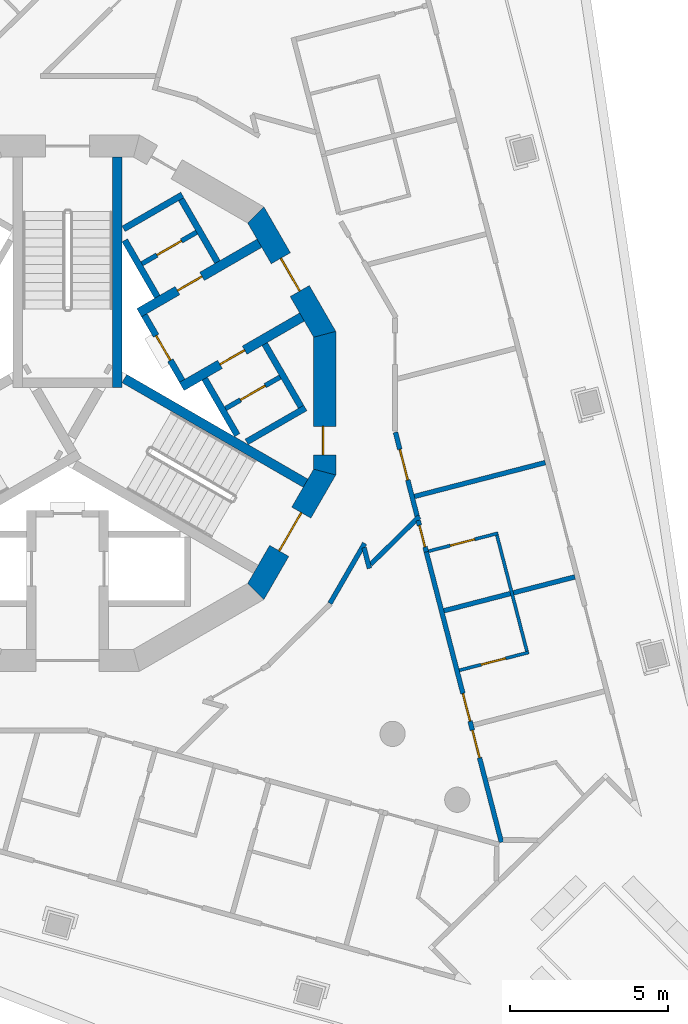
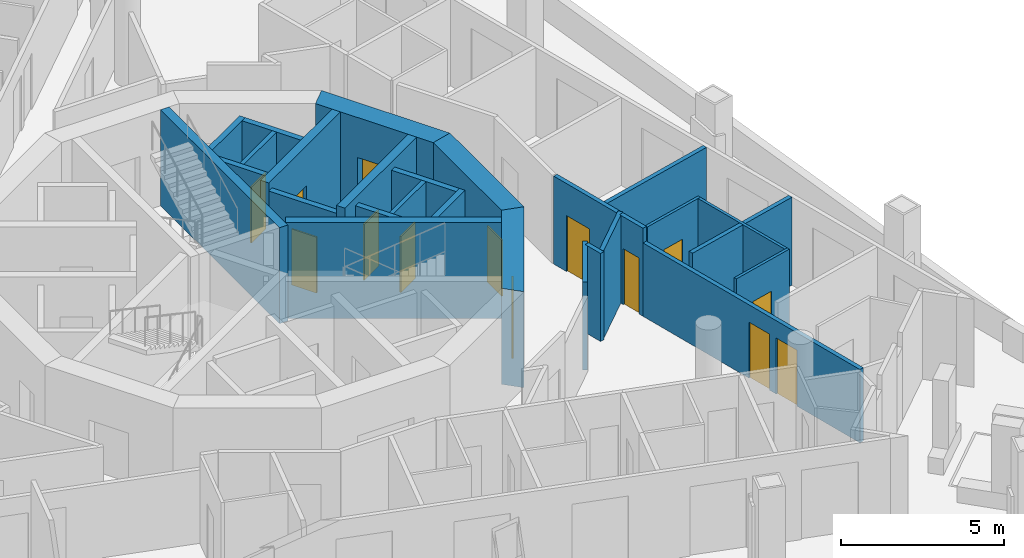
# One storey, part 6 of 14: 27 walls, 14 doors, 14 openings.
"""IFC4 building model written with IfcOpenShell, lengths in metres."""

from ifc_helpers import new_model, si_unit, direction, frame, frame_2d, origin, place, context, subcontext, project, spatial, polyline, rectangle, outline, extrude, material, layer, layer_set, type_object, element, fill, save


model = new_model("IFC4")

# Units and contexts
model_context = context("Model", 3, precision=1e-05, world=origin(), true_north=direction((0.0, 1.0)))
body_context = subcontext(model_context, "Body", "Model", "MODEL_VIEW")
ifc_project = project(units=[si_unit("LENGTHUNIT", "METRE"), si_unit("AREAUNIT", "SQUARE_METRE"), si_unit("VOLUMEUNIT", "CUBIC_METRE"), si_unit("PLANEANGLEUNIT", "RADIAN"), si_unit("MASSUNIT", "GRAM", prefix="KILO")], contexts=[model_context])

# Site, building, storey
site_placement = place(None, origin())
site = spatial("IfcSite", under=ifc_project, at=site_placement, CompositionType="ELEMENT")
building_placement = place(site_placement, origin())
building = spatial("IfcBuilding", under=site, at=building_placement, Name="Trine Commons Tower", CompositionType="ELEMENT")
storey_placement = place(building_placement, frame((0.0, 0.0, 234.89990234375)))
storey = spatial("IfcBuildingStorey", under=building, at=storey_placement, Name="L61", CompositionType="ELEMENT", Elevation=234.89990234375)

# Wall, opening, door
ifc_material_1 = material(Name="Plasterboard partition on steel studs", Category="steel")
ifc_layer_1 = layer(ifc_material_1, 0.14990234375)
ifc_layer_set_1 = layer_set([ifc_layer_1], Name="Plasterboard partition on steel studs")
wall_type_1 = type_object("IfcWallType", Name="Core room partition 150 mm, EI 60", PredefinedType="PARTITIONING", material=ifc_layer_set_1)
wall_1_placement = place(storey_placement, frame((82.35498046875, 66.919921875, 0.0), z_axis=(0.0, 0.0, 1.0), x_axis=(0.866010750942, 0.50002537861, 0.0)))
wall_1 = element("IfcWall", 1, at=wall_1_placement, inside=storey, type_object=wall_type_1, Name="Core room partition L61", PredefinedType="PARTITIONING", context=body_context, shape_type="SweptSolid", body=[
    extrude(rectangle(XDim=2.0, YDim=0.14990234375, at=frame_2d((1.0, 0.0))), origin(), (0.0, 0.0, 1.0), 3.300048828125),
])
opening_1_placement = place(wall_1_placement, frame((0.550537109375, 0.0, 0.0)))
opening_1 = element("IfcOpeningElement", 2, at=opening_1_placement, cuts=wall_1, Name="Opening K15.11", PredefinedType="OPENING", context=body_context, shape_type="SweptSolid", body=[
    extrude(rectangle(XDim=0.89990234375, YDim=2.10009765625, at=frame_2d((0.449951171875, 1.050048828125))), frame((0.0, 0.0849609375, 0.0), z_axis=(0.0, -1.0, 0.0), x_axis=(1.0, 0.0, 0.0)), (0.0, 0.0, 1.0), 0.169921875),
])
ifc_material_2 = material(Name="Steel door leaf, fire-rated", Category="steel")
door_type_1 = type_object("IfcDoorType", Name="Core room door, single leaf 900 x 2100, FD30S", OperationType="SINGLE_SWING_LEFT", PredefinedType="DOOR", material=ifc_material_2)
door_1_placement = place(opening_1_placement, origin())
door_1 = element("IfcDoor", 3, at=door_1_placement, inside=storey, type_object=door_type_1, Name="Door to Comms room L61", OperationType="SINGLE_SWING_RIGHT", OverallHeight=2.10009765625, OverallWidth=0.89990234375, PredefinedType="DOOR", context=body_context, shape_type="SweptSolid", body=[
    extrude(rectangle(XDim=0.89990234375, YDim=2.10009765625, at=frame_2d((0.449951171875, 1.050048828125))), frame((0.0, 0.02490234375, 0.0), z_axis=(0.0, -1.0, 0.0), x_axis=(1.0, 0.0, 0.0)), (0.0, 0.0, 1.0), 0.050048828125),
])
fill(opening_1, door_1)

wall_2_placement = place(storey_placement, frame((85.006103515625, 62.330078125, 0.0), z_axis=(0.0, 0.0, 1.0), x_axis=(0.866010750942, 0.50002537861, 0.0)))
wall_2 = element("IfcWall", 4, at=wall_2_placement, inside=storey, type_object=wall_type_1, Name="Core room partition L61", PredefinedType="PARTITIONING", context=body_context, shape_type="SweptSolid", body=[
    extrude(rectangle(XDim=2.0, YDim=0.14990234375, at=frame_2d((1.0, 0.0))), origin(), (0.0, 0.0, 1.0), 3.300048828125),
])
opening_2_placement = place(wall_2_placement, frame((0.549560546875, 0.0, 0.0)))
opening_2 = element("IfcOpeningElement", 5, at=opening_2_placement, cuts=wall_2, Name="Opening K15.13", PredefinedType="OPENING", context=body_context, shape_type="SweptSolid", body=[
    extrude(rectangle(XDim=0.89990234375, YDim=2.10009765625, at=frame_2d((0.449951171875, 1.050048828125))), frame((0.0, 0.0849609375, 0.0), z_axis=(0.0, -1.0, 0.0), x_axis=(1.0, 0.0, 0.0)), (0.0, 0.0, 1.0), 0.169921875),
])
door_2_placement = place(opening_2_placement, frame((0.89990234375, 0.0, 0.0), z_axis=(0.0, 0.0, 1.0), x_axis=(-1.0, 0.0, 0.0)))
door_2 = element("IfcDoor", 6, at=door_2_placement, inside=storey, type_object=door_type_1, Name="Door to Cleaner's store L61", OperationType="SINGLE_SWING_LEFT", OverallHeight=2.10009765625, OverallWidth=0.89990234375, PredefinedType="DOOR", context=body_context, shape_type="SweptSolid", body=[
    extrude(rectangle(XDim=0.89990234375, YDim=2.10009765625, at=frame_2d((0.449951171875, 1.050048828125))), frame((0.0, 0.02490234375, 0.0), z_axis=(0.0, -1.0, 0.0), x_axis=(1.0, 0.0, 0.0)), (0.0, 0.0, 1.0), 0.050048828125),
])
fill(opening_2, door_2)

ifc_material_3 = material(Name="Fire-rated gypsum shaft wall system")
ifc_layer_2 = layer(ifc_material_3, 0.199951171875)
ifc_layer_set_2 = layer_set([ifc_layer_2], Name="Fire-rated gypsum shaft wall system")
wall_type_2 = type_object("IfcWallType", Name="Lobby end wall 200 mm, EI 120", PredefinedType="PARTITIONING", material=ifc_layer_set_2)
wall_3_placement = place(storey_placement, frame((83.631103515625, 63.2109375, 0.0), z_axis=(0.0, 0.0, 1.0), x_axis=(-0.50012165622, 0.865955154139, 0.0)))
wall_3 = element("IfcWall", 7, at=wall_3_placement, inside=storey, type_object=wall_type_2, Name="Lobby end wall L61", PredefinedType="PARTITIONING", context=body_context, shape_type="SweptSolid", body=[
    extrude(rectangle(XDim=2.39990234375, YDim=0.199951171875, at=frame_2d((1.199951171875, 0.0))), origin(), (0.0, 0.0, 1.0), 3.300048828125),
])
opening_3_placement = place(wall_3_placement, frame((0.749755859375, 0.0, 0.0)))
opening_3 = element("IfcOpeningElement", 8, at=opening_3_placement, cuts=wall_3, Name="Opening K15.05", PredefinedType="OPENING", context=body_context, shape_type="SweptSolid", body=[
    extrude(rectangle(XDim=0.89990234375, YDim=2.10009765625, at=frame_2d((0.449951171875, 1.050048828125))), frame((0.0, 0.10986328125, 0.0), z_axis=(0.0, -1.0, 0.0), x_axis=(1.0, 0.0, 0.0)), (0.0, 0.0, 1.0), 0.219970703125),
])
door_type_2 = type_object("IfcDoorType", Name="Riser access door, single leaf 900 x 2100, FD60", OperationType="SINGLE_SWING_LEFT", PredefinedType="DOOR", material=ifc_material_2)
door_3_placement = place(opening_3_placement, frame((0.89990234375, 0.0, 0.0), z_axis=(0.0, 0.0, 1.0), x_axis=(-1.0, 0.0, 0.0)))
door_3 = element("IfcDoor", 9, at=door_3_placement, inside=storey, type_object=door_type_2, Name="Riser door, Electrical riser L61", OperationType="SINGLE_SWING_LEFT", OverallHeight=2.10009765625, OverallWidth=0.89990234375, PredefinedType="DOOR", context=body_context, shape_type="SweptSolid", body=[
    extrude(rectangle(XDim=0.89990234375, YDim=2.10009765625, at=frame_2d((0.449951171875, 1.050048828125))), frame((0.0, 0.02490234375, 0.0), z_axis=(0.0, -1.0, 0.0), x_axis=(1.0, 0.0, 0.0)), (0.0, 0.0, 1.0), 0.050048828125),
])
fill(opening_3, door_3)

ifc_material_4 = material(Name="Concrete C50/60", Category="concrete")
ifc_layer_3 = layer(ifc_material_4, 0.300048828125)
ifc_layer_set_3 = layer_set([ifc_layer_3], Name="Concrete C50/60")
wall_type_3 = type_object("IfcWallType", Name="RC shear wall 300 mm, C50/60", PredefinedType="SHEAR", material=ifc_layer_set_3)
wall_4_placement = place(storey_placement, frame((82.26904296875, 65.368896484375, 0.0), z_axis=(0.0, 0.0, 1.0), x_axis=(0.866035918664, 0.499981787252, 0.0)))
wall_4 = element("IfcWall", 10, at=wall_4_placement, inside=storey, type_object=wall_type_3, Name="Core cross wall SWC-05 L61", PredefinedType="SHEAR", context=body_context, shape_type="SweptSolid", body=[
    extrude(rectangle(XDim=4.400634765625, YDim=0.300048828125, at=frame_2d((2.2001953125, 0.0))), origin(), (0.0, 0.0, 1.0), 3.60009765625),
])
opening_4_placement = place(wall_4_placement, frame((1.400390625, 0.0, 0.0)))
opening_4 = element("IfcOpeningElement", 11, at=opening_4_placement, cuts=wall_4, Name="Opening K15.10", PredefinedType="OPENING", context=body_context, shape_type="SweptSolid", body=[
    extrude(rectangle(XDim=0.89990234375, YDim=2.10009765625, at=frame_2d((0.449951171875, 1.050048828125))), frame((0.0, 0.159912109375, 0.0), z_axis=(0.0, -1.0, 0.0), x_axis=(1.0, 0.0, 0.0)), (0.0, 0.0, 1.0), 0.320068359375),
])
door_4_placement = place(opening_4_placement, origin())
door_4 = element("IfcDoor", 12, at=door_4_placement, inside=storey, type_object=door_type_1, Name="Door to Pantry L61", OperationType="SINGLE_SWING_LEFT", OverallHeight=2.10009765625, OverallWidth=0.89990234375, PredefinedType="DOOR", context=body_context, shape_type="SweptSolid", body=[
    extrude(rectangle(XDim=0.89990234375, YDim=2.10009765625, at=frame_2d((0.449951171875, 1.050048828125))), frame((0.0, 0.02490234375, 0.0), z_axis=(0.0, -1.0, 0.0), x_axis=(1.0, 0.0, 0.0)), (0.0, 0.0, 1.0), 0.050048828125),
])
fill(opening_4, door_4)

wall_5_placement = place(storey_placement, frame((83.618896484375, 63.031005859375, 0.0), z_axis=(0.0, 0.0, 1.0), x_axis=(0.866059941101, 0.499940174841, 0.0)))
wall_5 = element("IfcWall", 13, at=wall_5_placement, inside=storey, type_object=wall_type_3, Name="Core cross wall SWC-06 L61", PredefinedType="SHEAR", context=body_context, shape_type="SweptSolid", body=[
    extrude(rectangle(XDim=4.400390625, YDim=0.300048828125, at=frame_2d((2.2001953125, 0.0))), origin(), (0.0, 0.0, 1.0), 3.60009765625),
])
opening_5_placement = place(wall_5_placement, frame((1.400390625, 0.0, 0.0)))
opening_5 = element("IfcOpeningElement", 14, at=opening_5_placement, cuts=wall_5, Name="Opening K15.12", PredefinedType="OPENING", context=body_context, shape_type="SweptSolid", body=[
    extrude(rectangle(XDim=0.89990234375, YDim=2.10009765625, at=frame_2d((0.449951171875, 1.050048828125))), frame((0.0, 0.159912109375, 0.0), z_axis=(0.0, -1.0, 0.0), x_axis=(1.0, 0.0, 0.0)), (0.0, 0.0, 1.0), 0.320068359375),
])
door_5_placement = place(opening_5_placement, frame((0.89990234375, 0.0, 0.0), z_axis=(0.0, 0.0, 1.0), x_axis=(-1.0, 0.0, 0.0)))
door_5 = element("IfcDoor", 15, at=door_5_placement, inside=storey, type_object=door_type_1, Name="Door to Parcel store L61", OperationType="SINGLE_SWING_LEFT", OverallHeight=2.10009765625, OverallWidth=0.89990234375, PredefinedType="DOOR", context=body_context, shape_type="SweptSolid", body=[
    extrude(rectangle(XDim=0.89990234375, YDim=2.10009765625, at=frame_2d((0.449951171875, 1.050048828125))), frame((0.0, 0.02490234375, 0.0), z_axis=(0.0, -1.0, 0.0), x_axis=(1.0, 0.0, 0.0)), (0.0, 0.0, 1.0), 0.050048828125),
])
fill(opening_5, door_5)

# Walls
wall_6_placement = place(storey_placement, frame((81.574951171875, 63.0009765625, 0.0), z_axis=(0.0, 0.0, 1.0), x_axis=(0.0, 1.0, 0.0)))
element("IfcWall", 16, at=wall_6_placement, inside=storey, type_object=wall_type_3, Name="Core cross wall SWC-17 L61", PredefinedType="SHEAR", context=body_context, shape_type="SweptSolid", body=[
    extrude(rectangle(XDim=7.299072265625, YDim=0.300048828125, at=frame_2d((3.6494140625, 0.0))), origin(), (0.0, 0.0, 1.0), 3.60009765625),
])
wall_7_placement = place(storey_placement, frame((81.800048828125, 63.280029296875, 0.0), z_axis=(0.0, 0.0, 1.0), x_axis=(0.866009627307, -0.500027324665, 0.0)))
element("IfcWall", 17, at=wall_7_placement, inside=storey, type_object=wall_type_3, Name="Core cross wall SWC-18 L61", PredefinedType="SHEAR", context=body_context, shape_type="SweptSolid", body=[
    extrude(rectangle(XDim=6.631591796875, YDim=0.300048828125, at=frame_2d((3.31591796875, 0.0))), origin(), (0.0, 0.0, 1.0), 3.60009765625),
])

# Wall, opening, door
ifc_layer_4 = layer(ifc_material_4, 0.699951171875)
ifc_layer_set_4 = layer_set([ifc_layer_4], Name="Concrete C50/60")
wall_type_4 = type_object("IfcWallType", Name="RC shear wall 700 mm, C50/60", PredefinedType="SHEAR", material=ifc_layer_set_4)
wall_8_placement = place(storey_placement, frame((88.150146484375, 60.222412109375, 0.0), z_axis=(0.0, 0.0, 1.0), x_axis=(0.0, 1.0, 0.0)))
wall_8 = element("IfcWall", 18, at=wall_8_placement, inside=storey, type_object=wall_type_4, Name="Core wall CWG-01 L61", PredefinedType="SHEAR", context=body_context, shape_type="SweptSolid", body=[
    extrude(outline(polyline([(0.0, -0.35009765625), (4.55517578125, -0.35009765625), (4.36767578125, 0.35009765625), (0.1875, 0.35009765625), (0.0, -0.35009765625)])), origin(), (0.0, 0.0, 1.0), 3.60009765625),
])
opening_6_placement = place(wall_8_placement, frame((0.6416015625, 0.0, 0.0)))
opening_6 = element("IfcOpeningElement", 19, at=opening_6_placement, cuts=wall_8, Name="Opening K15.17", PredefinedType="OPENING", context=body_context, shape_type="SweptSolid", body=[
    extrude(rectangle(XDim=0.89990234375, YDim=2.10009765625, at=frame_2d((0.449951171875, 1.050048828125))), frame((0.0, 0.35986328125, 0.0), z_axis=(0.0, -1.0, 0.0), x_axis=(1.0, 0.0, 0.0)), (0.0, 0.0, 1.0), 0.719970703125),
])
door_6_placement = place(opening_6_placement, origin())
door_6 = element("IfcDoor", 20, at=door_6_placement, inside=storey, type_object=door_type_1, Name="Door to Core WC L61", OperationType="SINGLE_SWING_LEFT", OverallHeight=2.10009765625, OverallWidth=0.89990234375, PredefinedType="DOOR", context=body_context, shape_type="SweptSolid", body=[
    extrude(rectangle(XDim=0.89990234375, YDim=2.10009765625, at=frame_2d((0.449951171875, 1.050048828125))), frame((0.0, 0.0751953125, 0.0), z_axis=(0.0, -1.0, 0.0), x_axis=(1.0, 0.0, 0.0)), (0.0, 0.0, 1.0), 0.050048828125),
])
fill(opening_6, door_6)

wall_9_placement = place(storey_placement, frame((88.197021484375, 64.6025390625, 0.0), z_axis=(0.0, 0.0, 1.0), x_axis=(-0.499983800959, 0.866034756103, 0.0)))
wall_9 = element("IfcWall", 21, at=wall_9_placement, inside=storey, type_object=wall_type_4, Name="Core wall CWG-02 L61", PredefinedType="SHEAR", context=body_context, shape_type="SweptSolid", body=[
    extrude(outline(polyline([(0.0, -0.35009765625), (4.55517578125, -0.35009765625), (4.36767578125, 0.35009765625), (0.1875, 0.35009765625), (0.0, -0.35009765625)])), origin(), (0.0, 0.0, 1.0), 3.60009765625),
])
opening_7_placement = place(wall_9_placement, frame((1.677490234375, 0.0, 0.0)))
opening_7 = element("IfcOpeningElement", 22, at=opening_7_placement, cuts=wall_9, Name="Opening K15.04", PredefinedType="OPENING", context=body_context, shape_type="SweptSolid", body=[
    extrude(rectangle(XDim=1.199951171875, YDim=2.10009765625, at=frame_2d((0.60009765625, 1.050048828125))), frame((0.0, 0.35986328125, 0.0), z_axis=(0.0, -1.0, 0.0), x_axis=(1.0, 0.0, 0.0)), (0.0, 0.0, 1.0), 0.719970703125),
])
ifc_material_5 = material(Name="Steel door leaves, fire-rated", Category="steel")
door_type_3 = type_object("IfcDoorType", Name="Lobby door, double leaf 1200 x 2100, FD60", OperationType="DOUBLE_DOOR_SINGLE_SWING", PredefinedType="DOOR", material=ifc_material_5)
door_7_placement = place(opening_7_placement, origin())
door_7 = element("IfcDoor", 23, at=door_7_placement, inside=storey, type_object=door_type_3, Name="Lobby door, Core lounge L61", OperationType="DOUBLE_DOOR_SINGLE_SWING", OverallHeight=2.10009765625, OverallWidth=1.199951171875, PredefinedType="DOOR", context=body_context, shape_type="SweptSolid", body=[
    extrude(rectangle(XDim=1.199951171875, YDim=2.10009765625, at=frame_2d((0.60009765625, 1.050048828125))), frame((0.0, 0.02490234375, 0.0), z_axis=(0.0, -1.0, 0.0), x_axis=(1.0, 0.0, 0.0)), (0.0, 0.0, 1.0), 0.050048828125),
])
fill(opening_7, door_7)

wall_10_placement = place(storey_placement, frame((85.91943359375, 56.452392578125, 0.0), z_axis=(0.0, 0.0, 1.0), x_axis=(0.499983800959, 0.866034756103, 0.0)))
wall_10 = element("IfcWall", 24, at=wall_10_placement, inside=storey, type_object=wall_type_4, Name="Core wall CWG-12 L61", PredefinedType="SHEAR", context=body_context, shape_type="SweptSolid", body=[
    extrude(outline(polyline([(0.0, -0.35009765625), (4.55517578125, -0.35009765625), (4.36767578125, 0.35009765625), (0.1875, 0.35009765625), (0.0, -0.35009765625)])), origin(), (0.0, 0.0, 1.0), 3.60009765625),
])
opening_8_placement = place(wall_10_placement, frame((1.577392578125, 0.0, 0.0)))
opening_8 = element("IfcOpeningElement", 25, at=opening_8_placement, cuts=wall_10, Name="Opening K15.03", PredefinedType="OPENING", context=body_context, shape_type="SweptSolid", body=[
    extrude(rectangle(XDim=1.39990234375, YDim=2.10009765625, at=frame_2d((0.699951171875, 1.050048828125))), frame((0.0, 0.35986328125, 0.0), z_axis=(0.0, -1.0, 0.0), x_axis=(1.0, 0.0, 0.0)), (0.0, 0.0, 1.0), 0.719970703125),
])
door_type_4 = type_object("IfcDoorType", Name="Stair door, double leaf 1400 x 2100, FD90", OperationType="DOUBLE_DOOR_SINGLE_SWING", PredefinedType="DOOR", material=ifc_material_5)
door_8_placement = place(opening_8_placement, origin())
door_8 = element("IfcDoor", 26, at=door_8_placement, inside=storey, type_object=door_type_4, Name="Stair door to Exit stair ST3C L61", OperationType="DOUBLE_DOOR_SINGLE_SWING", OverallHeight=2.10009765625, OverallWidth=1.39990234375, PredefinedType="DOOR", context=body_context, shape_type="SweptSolid", body=[
    extrude(rectangle(XDim=1.39990234375, YDim=2.10009765625, at=frame_2d((0.699951171875, 1.050048828125))), frame((0.0, 0.02490234375, 0.0), z_axis=(0.0, -1.0, 0.0), x_axis=(1.0, 0.0, 0.0)), (0.0, 0.0, 1.0), 0.050048828125),
])
fill(opening_8, door_8)

# Walls
ifc_layer_5 = layer(ifc_material_3, 0.199951171875)
ifc_layer_set_5 = layer_set([ifc_layer_5], Name="Fire-rated gypsum shaft wall system")
wall_type_5 = type_object("IfcWallType", Name="Shaft wall 200 mm, EI 120", PredefinedType="PARTITIONING", material=ifc_layer_set_5)
wall_11_placement = place(storey_placement, frame((81.77490234375, 68.028076171875, 0.0), z_axis=(0.0, 0.0, 1.0), x_axis=(0.866130725101, 0.499817533742, 0.0)))
element("IfcWall", 27, at=wall_11_placement, inside=storey, type_object=wall_type_5, Name="Shaft wall L61", PredefinedType="PARTITIONING", context=body_context, shape_type="SweptSolid", body=[
    extrude(rectangle(XDim=2.148681640625, YDim=0.199951171875, at=frame_2d((1.07421875, 0.0))), origin(), (0.0, 0.0, 1.0), 3.300048828125),
])
wall_12_placement = place(storey_placement, frame((82.843994140625, 65.8740234375, 0.0), z_axis=(0.0, 0.0, 1.0), x_axis=(-0.499865770674, 0.866102887253, 0.0)))
element("IfcWall", 28, at=wall_12_placement, inside=storey, type_object=wall_type_5, Name="Shaft wall L61", PredefinedType="PARTITIONING", context=body_context, shape_type="SweptSolid", body=[
    extrude(rectangle(XDim=2.064453125, YDim=0.199951171875, at=frame_2d((1.0322265625, 0.0))), origin(), (0.0, 0.0, 1.0), 3.300048828125),
])
wall_13_placement = place(storey_placement, frame((84.343994140625, 63.27587890625, 0.0), z_axis=(0.0, 0.0, 1.0), x_axis=(0.500271688072, -0.86586848777, 0.0)))
element("IfcWall", 29, at=wall_13_placement, inside=storey, type_object=wall_type_5, Name="Shaft wall L61", PredefinedType="PARTITIONING", context=body_context, shape_type="SweptSolid", body=[
    extrude(rectangle(XDim=2.064697265625, YDim=0.199951171875, at=frame_2d((1.0322265625, 0.0))), origin(), (0.0, 0.0, 1.0), 3.300048828125),
])
wall_14_placement = place(storey_placement, frame((84.7490234375, 66.97412109375, 0.0), z_axis=(0.0, 0.0, 1.0), x_axis=(-0.500136062276, 0.86594683394, 0.0)))
element("IfcWall", 30, at=wall_14_placement, inside=storey, type_object=wall_type_5, Name="Shaft wall L61", PredefinedType="PARTITIONING", context=body_context, shape_type="SweptSolid", body=[
    extrude(rectangle(XDim=2.299072265625, YDim=0.199951171875, at=frame_2d((1.1494140625, 0.0))), origin(), (0.0, 0.0, 1.0), 3.300048828125),
])
wall_15_placement = place(storey_placement, frame((85.675048828125, 61.27392578125, 0.0), z_axis=(0.0, 0.0, 1.0), x_axis=(0.866102336459, 0.499866725018, 0.0)))
element("IfcWall", 31, at=wall_15_placement, inside=storey, type_object=wall_type_5, Name="Shaft wall L61", PredefinedType="PARTITIONING", context=body_context, shape_type="SweptSolid", body=[
    extrude(rectangle(XDim=2.1484375, YDim=0.199951171875, at=frame_2d((1.07421875, 0.0))), origin(), (0.0, 0.0, 1.0), 3.300048828125),
])
wall_16_placement = place(storey_placement, frame((86.2490234375, 64.3759765625, 0.0), z_axis=(0.0, 0.0, 1.0), x_axis=(0.500136062276, -0.86594683394, 0.0)))
element("IfcWall", 32, at=wall_16_placement, inside=storey, type_object=wall_type_5, Name="Shaft wall L61", PredefinedType="PARTITIONING", context=body_context, shape_type="SweptSolid", body=[
    extrude(rectangle(XDim=2.299072265625, YDim=0.199951171875, at=frame_2d((1.1494140625, 0.0))), origin(), (0.0, 0.0, 1.0), 3.300048828125),
])
ifc_material_6 = material(Name="Gypsum plasterboard on steel stud", Category="steel")
ifc_layer_6 = layer(ifc_material_6, 0.14990234375)
ifc_layer_set_6 = layer_set([ifc_layer_6], Name="Gypsum plasterboard on steel stud")
wall_type_6 = type_object("IfcWallType", Name="Unit and corridor wall 150 mm, EI 60", PredefinedType="PARTITIONING", material=ifc_layer_set_6)
wall_17_placement = place(storey_placement, frame((88.31640625, 56.15478515625, 0.0), z_axis=(0.0, 0.0, 1.0), x_axis=(0.500129524705, 0.865950609745, 0.0)))
element("IfcWall", 33, at=wall_17_placement, inside=storey, type_object=wall_type_6, Name="Partition 087", PredefinedType="PARTITIONING", context=body_context, shape_type="SweptSolid", body=[
    extrude(rectangle(XDim=2.19775390625, YDim=0.14990234375, at=frame_2d((1.098876953125, 0.0))), origin(), (0.0, 0.0, 1.0), 3.300048828125),
])
wall_18_placement = place(storey_placement, frame((89.396728515625, 57.92041015625, 0.0), z_axis=(0.0, 0.0, 1.0), x_axis=(0.249398389606, -0.968400972357, 0.0)))
element("IfcWall", 34, at=wall_18_placement, inside=storey, type_object=wall_type_6, Name="Partition 091", PredefinedType="PARTITIONING", context=body_context, shape_type="SweptSolid", body=[
    extrude(rectangle(XDim=0.677490234375, YDim=0.14990234375, at=frame_2d((0.3388671875, 0.0))), origin(), (0.0, 0.0, 1.0), 3.300048828125),
])
wall_19_placement = place(storey_placement, frame((89.60546875, 57.3896484375, 0.0), z_axis=(0.0, 0.0, 1.0), x_axis=(0.713117689353, 0.701044336068, 0.0)))
element("IfcWall", 35, at=wall_19_placement, inside=storey, type_object=wall_type_6, Name="Partition 093", PredefinedType="PARTITIONING", context=body_context, shape_type="SweptSolid", body=[
    extrude(rectangle(XDim=2.16357421875, YDim=0.14990234375, at=frame_2d((1.081787109375, 0.0))), origin(), (0.0, 0.0, 1.0), 3.300048828125),
])

# Wall, opening, door
wall_20_placement = place(storey_placement, frame((90.39208984375, 61.576904296875, 0.0), z_axis=(0.0, 0.0, 1.0), x_axis=(0.250280264266, -0.96817342936, 0.0)))
wall_20 = element("IfcWall", 36, at=wall_20_placement, inside=storey, type_object=wall_type_6, Name="Partition 099", PredefinedType="PARTITIONING", context=body_context, shape_type="SweptSolid", body=[
    extrude(rectangle(XDim=2.808349609375, YDim=0.14990234375, at=frame_2d((1.404296875, 0.0))), origin(), (0.0, 0.0, 1.0), 3.300048828125),
])
opening_9_placement = place(wall_20_placement, frame((0.5595703125, 0.0, 0.0)))
opening_9 = element("IfcOpeningElement", 37, at=opening_9_placement, cuts=wall_20, Name="Opening D-7A15", PredefinedType="OPENING", context=body_context, shape_type="SweptSolid", body=[
    extrude(rectangle(XDim=1.0, YDim=2.10009765625, at=frame_2d((0.5, 1.050048828125))), frame((0.0, 0.0849609375, 0.0), z_axis=(0.0, -1.0, 0.0), x_axis=(1.0, 0.0, 0.0)), (0.0, 0.0, 1.0), 0.169921875),
])
ifc_material_7 = material(Name="Painted timber", Category="wood")
door_type_5 = type_object("IfcDoorType", Name="Toilet door 1000 x 2100, NOT RATED", OperationType="NOTDEFINED", PredefinedType="DOOR", material=ifc_material_7)
door_9_placement = place(opening_9_placement, origin())
door_9 = element("IfcDoor", 38, at=door_9_placement, inside=storey, type_object=door_type_5, Name="Door D-7A15", OperationType="SINGLE_SWING_LEFT", OverallHeight=2.10009765625, OverallWidth=1.0, PredefinedType="DOOR", context=body_context, shape_type="SweptSolid", body=[
    extrude(rectangle(XDim=1.0, YDim=2.10009765625, at=frame_2d((0.5, 1.050048828125))), frame((0.0, 0.02490234375, 0.0), z_axis=(0.0, -1.0, 0.0), x_axis=(1.0, 0.0, 0.0)), (0.0, 0.0, 1.0), 0.050048828125),
])
fill(opening_9, door_9)

# Wall
wall_21_placement = place(storey_placement, frame((90.99267578125, 59.543701171875, 0.0), z_axis=(0.0, 0.0, 1.0), x_axis=(0.968129527106, 0.250450032434, 0.0)))
element("IfcWall", 39, at=wall_21_placement, inside=storey, type_object=wall_type_6, Name="Partition 100", PredefinedType="PARTITIONING", context=body_context, shape_type="SweptSolid", body=[
    extrude(rectangle(XDim=4.28515625, YDim=0.14990234375, at=frame_2d((2.142578125, 0.0))), origin(), (0.0, 0.0, 1.0), 3.300048828125),
])

# Wall, opening, door
wall_22_placement = place(storey_placement, frame((91.11279296875, 58.782470703125, 0.0), z_axis=(0.0, 0.0, 1.0), x_axis=(0.249777676576, -0.968303212989, 0.0)))
wall_22 = element("IfcWall", 40, at=wall_22_placement, inside=storey, type_object=wall_type_6, Name="Partition 101", PredefinedType="PARTITIONING", context=body_context, shape_type="SweptSolid", body=[
    extrude(rectangle(XDim=1.0302734375, YDim=0.14990234375, at=frame_2d((0.51513671875, 0.0))), origin(), (0.0, 0.0, 1.0), 3.300048828125),
])
opening_10_placement = place(wall_22_placement, frame((0.162841796875, 0.0, 0.0)))
opening_10 = element("IfcOpeningElement", 41, at=opening_10_placement, cuts=wall_22, Name="Opening D-7A16", PredefinedType="OPENING", context=body_context, shape_type="SweptSolid", body=[
    extrude(rectangle(XDim=0.699951171875, YDim=2.10009765625, at=frame_2d((0.35009765625, 1.050048828125))), frame((0.0, 0.0849609375, 0.0), z_axis=(0.0, -1.0, 0.0), x_axis=(1.0, 0.0, 0.0)), (0.0, 0.0, 1.0), 0.169921875),
])
ifc_material_8 = material(Name="Timber fire door set", Category="wood")
door_type_6 = type_object("IfcDoorType", Name="Bedroom door 700 x 2100, FD30S", OperationType="NOTDEFINED", PredefinedType="DOOR", material=ifc_material_8)
door_10_placement = place(opening_10_placement, origin())
door_10 = element("IfcDoor", 42, at=door_10_placement, inside=storey, type_object=door_type_6, Name="Door D-7A16", OperationType="SINGLE_SWING_LEFT", OverallHeight=2.10009765625, OverallWidth=0.699951171875, PredefinedType="DOOR", context=body_context, shape_type="SweptSolid", body=[
    extrude(rectangle(XDim=0.699951171875, YDim=2.10009765625, at=frame_2d((0.35009765625, 1.050048828125))), frame((0.0, 0.02490234375, 0.0), z_axis=(0.0, -1.0, 0.0), x_axis=(1.0, 0.0, 0.0)), (0.0, 0.0, 1.0), 0.050048828125),
])
fill(opening_10, door_10)

# Wall, openings, doors
wall_23_placement = place(storey_placement, frame((91.35546875, 57.84130859375, 0.0), z_axis=(0.0, 0.0, 1.0), x_axis=(0.25042530879, -0.968135922646, 0.0)))
wall_23 = element("IfcWall", 43, at=wall_23_placement, inside=storey, type_object=wall_type_6, Name="Partition 104", PredefinedType="PARTITIONING", context=body_context, shape_type="SweptSolid", body=[
    extrude(rectangle(XDim=9.564697265625, YDim=0.14990234375, at=frame_2d((4.7822265625, 0.0))), origin(), (0.0, 0.0, 1.0), 2.75),
])
opening_11_placement = place(wall_23_placement, frame((4.696533203125, 0.0, 0.0)))
opening_11 = element("IfcOpeningElement", 44, at=opening_11_placement, cuts=wall_23, Name="Opening D-7A17", PredefinedType="OPENING", context=body_context, shape_type="SweptSolid", body=[
    extrude(rectangle(XDim=0.89990234375, YDim=2.10009765625, at=frame_2d((0.449951171875, 1.050048828125))), frame((0.0, 0.0849609375, 0.0), z_axis=(0.0, -1.0, 0.0), x_axis=(1.0, 0.0, 0.0)), (0.0, 0.0, 1.0), 0.169921875),
])
opening_12_placement = place(wall_23_placement, frame((5.896728515625, 0.0, 0.0)))
opening_12 = element("IfcOpeningElement", 45, at=opening_12_placement, cuts=wall_23, Name="Opening D-7A18", PredefinedType="OPENING", context=body_context, shape_type="SweptSolid", body=[
    extrude(rectangle(XDim=0.89990234375, YDim=2.10009765625, at=frame_2d((0.449951171875, 1.050048828125))), frame((0.0, 0.0849609375, 0.0), z_axis=(0.0, -1.0, 0.0), x_axis=(1.0, 0.0, 0.0)), (0.0, 0.0, 1.0), 0.169921875),
])
door_type_7 = type_object("IfcDoorType", Name="Bedroom door 900 x 2100, FD30S", OperationType="NOTDEFINED", PredefinedType="DOOR", material=ifc_material_8)
door_11_placement = place(opening_11_placement, origin())
door_11 = element("IfcDoor", 46, at=door_11_placement, inside=storey, type_object=door_type_7, Name="Door D-7A17", OperationType="SINGLE_SWING_RIGHT", OverallHeight=2.10009765625, OverallWidth=0.89990234375, PredefinedType="DOOR", context=body_context, shape_type="SweptSolid", body=[
    extrude(rectangle(XDim=0.89990234375, YDim=2.10009765625, at=frame_2d((0.449951171875, 1.050048828125))), frame((0.0, 0.02490234375, 0.0), z_axis=(0.0, -1.0, 0.0), x_axis=(1.0, 0.0, 0.0)), (0.0, 0.0, 1.0), 0.050048828125),
])
fill(opening_11, door_11)
door_12_placement = place(opening_12_placement, origin())
door_12 = element("IfcDoor", 47, at=door_12_placement, inside=storey, type_object=door_type_7, Name="Door D-7A18", OperationType="SINGLE_SWING_RIGHT", OverallHeight=2.10009765625, OverallWidth=0.89990234375, PredefinedType="DOOR", context=body_context, shape_type="SweptSolid", body=[
    extrude(rectangle(XDim=0.89990234375, YDim=2.10009765625, at=frame_2d((0.449951171875, 1.050048828125))), frame((0.0, 0.02490234375, 0.0), z_axis=(0.0, -1.0, 0.0), x_axis=(1.0, 0.0, 0.0)), (0.0, 0.0, 1.0), 0.050048828125),
])
fill(opening_12, door_12)

# Wall
wall_24_placement = place(storey_placement, frame((91.9296875, 55.919921875, 0.0), z_axis=(0.0, 0.0, 1.0), x_axis=(0.968143339783, 0.250396632634, 0.0)))
element("IfcWall", 48, at=wall_24_placement, inside=storey, type_object=wall_type_6, Name="Partition 107", PredefinedType="PARTITIONING", context=body_context, shape_type="SweptSolid", body=[
    extrude(rectangle(XDim=4.28515625, YDim=0.14990234375, at=frame_2d((2.142578125, 0.0))), origin(), (0.0, 0.0, 1.0), 3.300048828125),
])

# Wall, opening, door
ifc_layer_7 = layer(ifc_material_6, 0.10009765625)
ifc_layer_set_7 = layer_set([ifc_layer_7], Name="Gypsum plasterboard on steel stud")
wall_type_7 = type_object("IfcWallType", Name="Unit partition 100 mm, no rating", PredefinedType="PARTITIONING", material=ifc_layer_set_7)
wall_25_placement = place(storey_placement, frame((91.441650390625, 57.807861328125, 0.0), z_axis=(0.0, 0.0, 1.0), x_axis=(0.968154087165, 0.250355074856, 0.0)))
wall_25 = element("IfcWall", 49, at=wall_25_placement, inside=storey, type_object=wall_type_7, Name="Partition 105", PredefinedType="PARTITIONING", context=body_context, shape_type="SweptSolid", body=[
    extrude(rectangle(XDim=2.275146484375, YDim=0.10009765625, at=frame_2d((1.1376953125, 0.0))), origin(), (0.0, 0.0, 1.0), 3.300048828125),
])
opening_13_placement = place(wall_25_placement, frame((0.712646484375, 0.0, 0.0)))
opening_13 = element("IfcOpeningElement", 50, at=opening_13_placement, cuts=wall_25, Name="Opening D-7A37", PredefinedType="OPENING", context=body_context, shape_type="SweptSolid", body=[
    extrude(rectangle(XDim=0.800048828125, YDim=2.10009765625, at=frame_2d((0.39990234375, 1.050048828125))), frame((0.0, 0.06005859375, 0.0), z_axis=(0.0, -1.0, 0.0), x_axis=(1.0, 0.0, 0.0)), (0.0, 0.0, 1.0), 0.1201171875),
])
door_type_8 = type_object("IfcDoorType", Name="Internal door 800 x 2100, NOT RATED", OperationType="NOTDEFINED", PredefinedType="DOOR", material=ifc_material_7)
door_13_placement = place(opening_13_placement, origin())
door_13 = element("IfcDoor", 51, at=door_13_placement, inside=storey, type_object=door_type_8, Name="Door D-7A37", OperationType="SINGLE_SWING_LEFT", OverallHeight=2.10009765625, OverallWidth=0.800048828125, PredefinedType="DOOR", context=body_context, shape_type="SweptSolid", body=[
    extrude(rectangle(XDim=0.800048828125, YDim=2.10009765625, at=frame_2d((0.39990234375, 1.050048828125))), frame((0.0, 0.02490234375, 0.0), z_axis=(0.0, -1.0, 0.0), x_axis=(1.0, 0.0, 0.0)), (0.0, 0.0, 1.0), 0.050048828125),
])
fill(opening_13, door_13)

wall_26_placement = place(storey_placement, frame((92.418701171875, 54.03271484375, 0.0), z_axis=(0.0, 0.0, 1.0), x_axis=(0.968205218878, 0.250157258814, 0.0)))
wall_26 = element("IfcWall", 52, at=wall_26_placement, inside=storey, type_object=wall_type_7, Name="Partition 108", PredefinedType="PARTITIONING", context=body_context, shape_type="SweptSolid", body=[
    extrude(rectangle(XDim=2.27392578125, YDim=0.10009765625, at=frame_2d((1.136962890625, 0.0))), origin(), (0.0, 0.0, 1.0), 3.300048828125),
])
opening_14_placement = place(wall_26_placement, frame((0.7119140625, 0.0, 0.0)))
opening_14 = element("IfcOpeningElement", 53, at=opening_14_placement, cuts=wall_26, Name="Opening D-7A38", PredefinedType="OPENING", context=body_context, shape_type="SweptSolid", body=[
    extrude(rectangle(XDim=0.800048828125, YDim=2.10009765625, at=frame_2d((0.39990234375, 1.050048828125))), frame((0.0, 0.06005859375, 0.0), z_axis=(0.0, -1.0, 0.0), x_axis=(1.0, 0.0, 0.0)), (0.0, 0.0, 1.0), 0.1201171875),
])
door_14_placement = place(opening_14_placement, frame((0.800048828125, 0.0, 0.0), z_axis=(0.0, 0.0, 1.0), x_axis=(-1.0, 0.0, 0.0)))
door_14 = element("IfcDoor", 54, at=door_14_placement, inside=storey, type_object=door_type_8, Name="Door D-7A38", OperationType="SINGLE_SWING_RIGHT", OverallHeight=2.10009765625, OverallWidth=0.800048828125, PredefinedType="DOOR", context=body_context, shape_type="SweptSolid", body=[
    extrude(rectangle(XDim=0.800048828125, YDim=2.10009765625, at=frame_2d((0.39990234375, 1.050048828125))), frame((0.0, 0.02490234375, 0.0), z_axis=(0.0, -1.0, 0.0), x_axis=(1.0, 0.0, 0.0)), (0.0, 0.0, 1.0), 0.050048828125),
])
fill(opening_14, door_14)

# Wall
wall_27_placement = place(storey_placement, frame((93.6083984375, 58.316650390625, 0.0), z_axis=(0.0, 0.0, 1.0), x_axis=(0.250297686366, -0.968168925446, 0.0)))
element("IfcWall", 55, at=wall_27_placement, inside=storey, type_object=wall_type_7, Name="Partition 112", PredefinedType="PARTITIONING", context=body_context, shape_type="SweptSolid", body=[
    extrude(rectangle(XDim=3.800048828125, YDim=0.10009765625, at=frame_2d((1.89990234375, 0.0))), origin(), (0.0, 0.0, 1.0), 3.300048828125),
])

save(model, "model.ifc")
